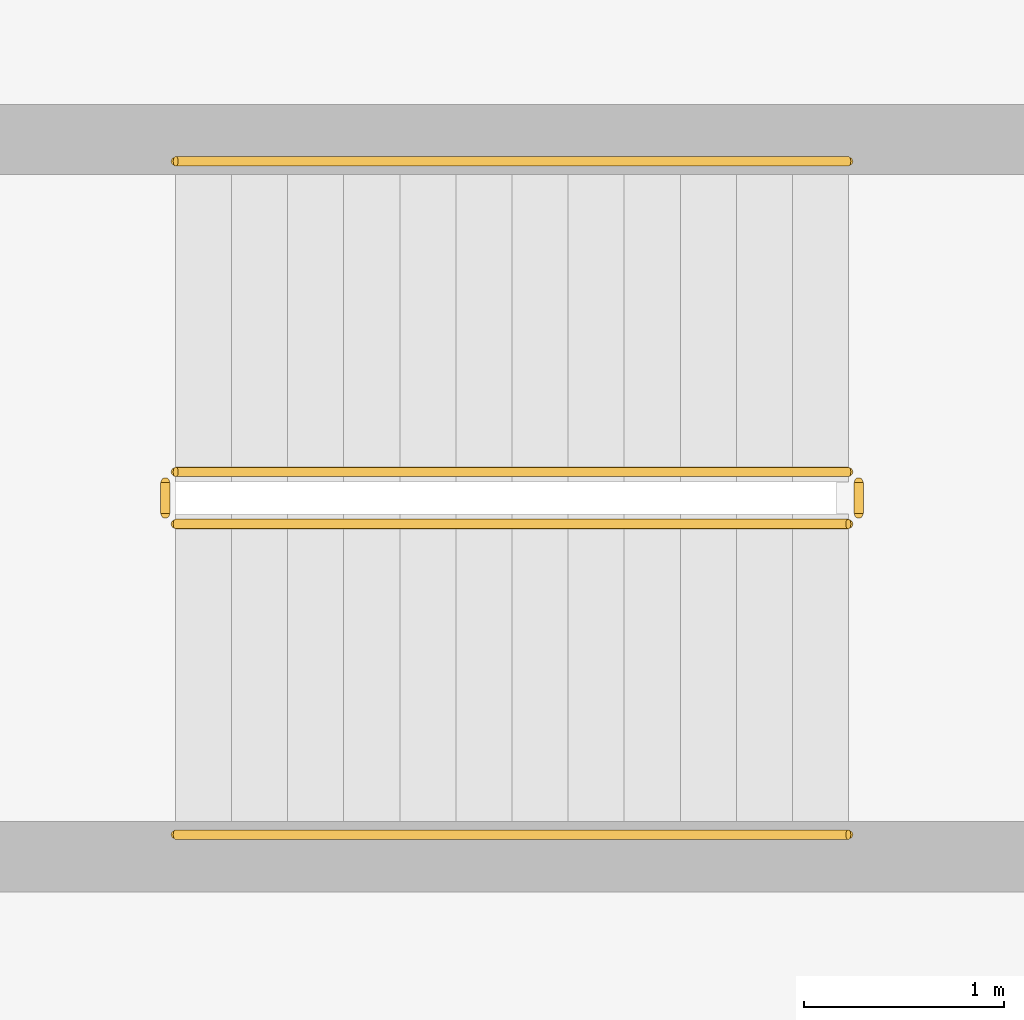
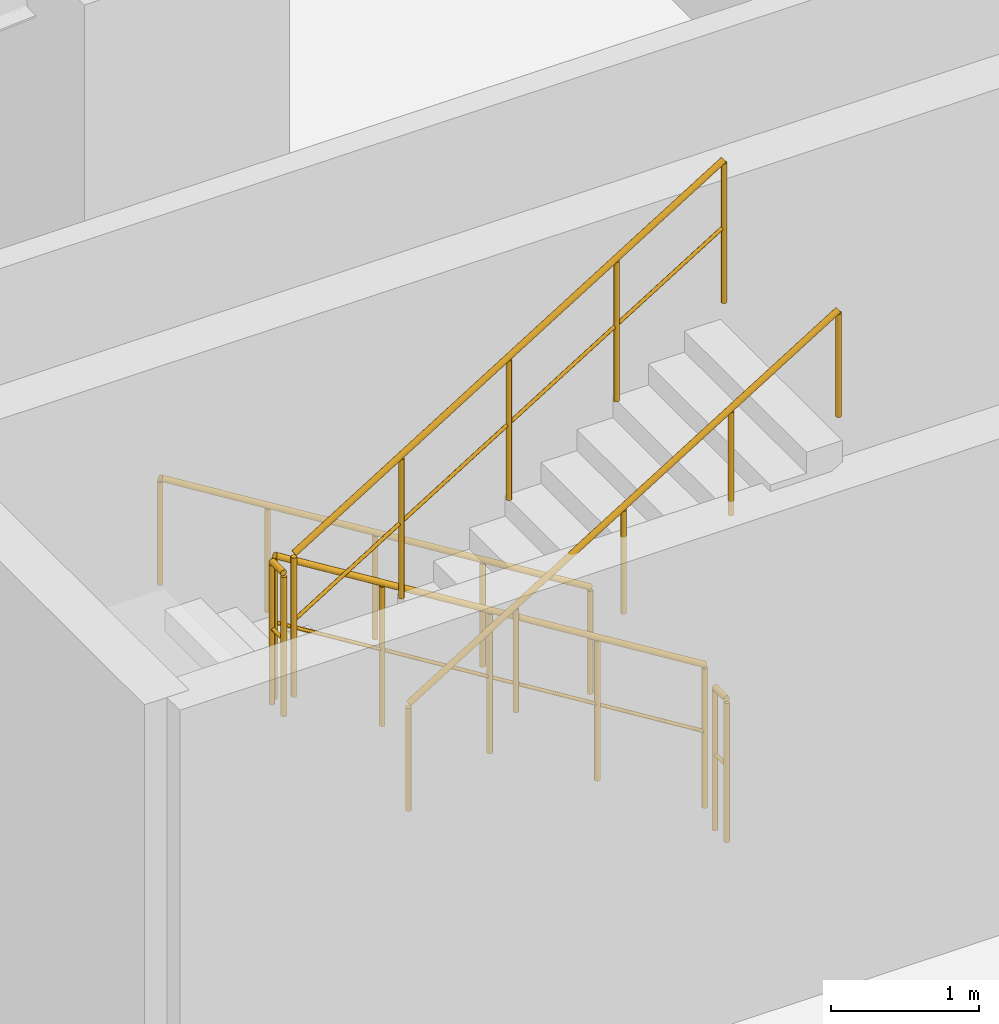
# One storey, part 11 of 14: 6 railings.
"""IFC4 building model written with IfcOpenShell, lengths in metres."""

from ifc_helpers import new_model, si_unit, direction, frame, origin, origin_2d, place, context, subcontext, project, spatial, circle, extrude, material, type_object, element, save


model = new_model("IFC4")

# Units and contexts
model_context = context("Model", 3, precision=1e-05, world=origin(), true_north=direction((0.0, 1.0)))
body_context = subcontext(model_context, "Body", "Model", "MODEL_VIEW")
ifc_project = project(units=[si_unit("LENGTHUNIT", "METRE"), si_unit("AREAUNIT", "SQUARE_METRE"), si_unit("VOLUMEUNIT", "CUBIC_METRE"), si_unit("PLANEANGLEUNIT", "RADIAN"), si_unit("MASSUNIT", "GRAM", prefix="KILO")], contexts=[model_context])

# Site, building, storey
site_placement = place(None, origin())
site = spatial("IfcSite", under=ifc_project, at=site_placement, CompositionType="ELEMENT")
building_placement = place(site_placement, origin())
building = spatial("IfcBuilding", under=site, at=building_placement, Name="Sahyath Konkavel Grand Hotel", CompositionType="ELEMENT")
storey_placement = place(building_placement, frame((0.0, 0.0, -4.5)))
storey = spatial("IfcBuildingStorey", under=building, at=storey_placement, Name="B1", CompositionType="ELEMENT", Elevation=-4.5)

# Railings
ifc_material_1 = material(Name="Steel E350", Category="steel")
railing_type_1 = type_object("IfcRailingType", Name="RLG-STAIR-GRD", PredefinedType="GUARDRAIL", material=ifc_material_1)
railing_1_placement = place(storey_placement, frame((-21.2900390625, -12.179931640625, 0.173095703125)))
element("IfcRailing", 1, at=railing_1_placement, inside=storey, type_object=railing_type_1, Name="B1 ST-P3 stair guard 1", PredefinedType="GUARDRAIL", context=body_context, shape_type="SweptSolid", body=[
    extrude(circle(Radius=0.02392578125, at=origin_2d()), frame((-0.001708984375, 0.0, 1.177001953125), z_axis=(-0.850606129759, 0.0, 0.525803396734), x_axis=(0.0, -1.0, 0.0)), (0.0, 0.0, 1.0), 3.946044921875),
    extrude(circle(Radius=0.01416015625, at=origin_2d()), frame((-0.001708984375, 0.0, 0.625), z_axis=(-0.850606129759, 0.0, 0.525803396734), x_axis=(0.0, -1.0, 0.0)), (0.0, 0.0, 1.0), 3.946044921875),
    extrude(circle(Radius=0.02099609375, at=origin_2d()), origin(), (0.0, 0.0, 1.0), 1.15185546875),
    extrude(circle(Radius=0.02099609375, at=origin_2d()), frame((-0.83984375, 0.0, 0.519287109375)), (0.0, 0.0, 1.0), 1.15185546875),
    extrude(circle(Radius=0.02099609375, at=origin_2d()), frame((-1.679931640625, 0.0, 1.03857421875)), (0.0, 0.0, 1.0), 1.15185546875),
    extrude(circle(Radius=0.02099609375, at=origin_2d()), frame((-2.52001953125, 0.0, 1.5576171875)), (0.0, 0.0, 1.0), 1.15185546875),
    extrude(circle(Radius=0.02099609375, at=origin_2d()), frame((-3.35986328125, 0.0, 2.076904296875)), (0.0, 0.0, 1.0), 1.15185546875),
])
railing_2_placement = place(storey_placement, frame((-24.699951171875, -12.22998046875, 2.25)))
element("IfcRailing", 2, at=railing_2_placement, inside=storey, type_object=railing_type_1, Name="B1 ST-P3 stair guard 2", PredefinedType="GUARDRAIL", context=body_context, shape_type="SweptSolid", body=[
    extrude(circle(Radius=0.02392578125, at=origin_2d()), frame((0.0, -0.001953125, 1.17578125), z_axis=(0.0, -1.0, 0.0), x_axis=(1.0, 0.0, 0.0)), (0.0, 0.0, 1.0), 0.156005859375),
    extrude(circle(Radius=0.01416015625, at=origin_2d()), frame((0.0, -0.001953125, 0.6240234375), z_axis=(0.0, -1.0, 0.0), x_axis=(1.0, 0.0, 0.0)), (0.0, 0.0, 1.0), 0.156005859375),
    extrude(circle(Radius=0.02099609375, at=origin_2d()), origin(), (0.0, 0.0, 1.0), 1.15185546875),
    extrude(circle(Radius=0.02099609375, at=origin_2d()), frame((0.0, -0.159912109375, 0.0)), (0.0, 0.0, 1.0), 1.15185546875),
])
railing_3_placement = place(storey_placement, frame((-24.64990234375, -12.43994140625, 2.423095703125)))
element("IfcRailing", 3, at=railing_3_placement, inside=storey, type_object=railing_type_1, Name="B1 ST-P3 stair guard 3", PredefinedType="GUARDRAIL", context=body_context, shape_type="SweptSolid", body=[
    extrude(circle(Radius=0.02392578125, at=origin_2d()), frame((0.001708984375, 0.0, 1.177001953125), z_axis=(0.850606129759, 0.0, 0.525803396734), x_axis=(0.0, 1.0, 0.0)), (0.0, 0.0, 1.0), 3.946044921875),
    extrude(circle(Radius=0.01416015625, at=origin_2d()), frame((0.001708984375, 0.0, 0.625), z_axis=(0.850606129759, 0.0, 0.525803396734), x_axis=(0.0, 1.0, 0.0)), (0.0, 0.0, 1.0), 3.946044921875),
    extrude(circle(Radius=0.02099609375, at=origin_2d()), origin(), (0.0, 0.0, 1.0), 1.15185546875),
    extrude(circle(Radius=0.02099609375, at=origin_2d()), frame((0.83984375, 0.0, 0.519287109375)), (0.0, 0.0, 1.0), 1.15185546875),
    extrude(circle(Radius=0.02099609375, at=origin_2d()), frame((1.679931640625, 0.0, 1.03857421875)), (0.0, 0.0, 1.0), 1.15185546875),
    extrude(circle(Radius=0.02099609375, at=origin_2d()), frame((2.52001953125, 0.0, 1.5576171875)), (0.0, 0.0, 1.0), 1.15185546875),
    extrude(circle(Radius=0.02099609375, at=origin_2d()), frame((3.35986328125, 0.0, 2.076904296875)), (0.0, 0.0, 1.0), 1.15185546875),
])
railing_4_placement = place(storey_placement, frame((-21.239990234375, -12.22998046875, 0.0)))
element("IfcRailing", 4, at=railing_4_placement, inside=storey, type_object=railing_type_1, Name="B1 ST-P3 stair guard 4", PredefinedType="GUARDRAIL", context=body_context, shape_type="SweptSolid", body=[
    extrude(circle(Radius=0.02392578125, at=origin_2d()), frame((0.0, -0.001953125, 1.17578125), z_axis=(0.0, -1.0, 0.0), x_axis=(1.0, 0.0, 0.0)), (0.0, 0.0, 1.0), 0.156005859375),
    extrude(circle(Radius=0.01416015625, at=origin_2d()), frame((0.0, -0.001953125, 0.6240234375), z_axis=(0.0, -1.0, 0.0), x_axis=(1.0, 0.0, 0.0)), (0.0, 0.0, 1.0), 0.156005859375),
    extrude(circle(Radius=0.02099609375, at=origin_2d()), origin(), (0.0, 0.0, 1.0), 1.15185546875),
    extrude(circle(Radius=0.02099609375, at=origin_2d()), frame((0.0, -0.159912109375, 0.0)), (0.0, 0.0, 1.0), 1.15185546875),
])
ifc_material_2 = material(Name="Anodised Bronze Aluminium", Category="aluminium")
railing_type_2 = type_object("IfcRailingType", Name="RLG-STAIR-HND", PredefinedType="HANDRAIL", material=ifc_material_2)
railing_5_placement = place(storey_placement, frame((-21.2900390625, -10.6298828125, 0.173095703125)))
element("IfcRailing", 5, at=railing_5_placement, inside=storey, type_object=railing_type_2, Name="B1 ST-P3 stair handrail 1", PredefinedType="HANDRAIL", context=body_context, shape_type="SweptSolid", body=[
    extrude(circle(Radius=0.02392578125, at=origin_2d()), frame((-0.001708984375, 0.0, 0.876953125), z_axis=(-0.850606129759, 0.0, 0.525803396734), x_axis=(0.0, -1.0, 0.0)), (0.0, 0.0, 1.0), 3.946044921875),
    extrude(circle(Radius=0.02099609375, at=origin_2d()), origin(), (0.0, 0.0, 1.0), 0.851806640625),
    extrude(circle(Radius=0.02099609375, at=origin_2d()), frame((-0.83984375, 0.0, 0.519287109375)), (0.0, 0.0, 1.0), 0.851806640625),
    extrude(circle(Radius=0.02099609375, at=origin_2d()), frame((-1.679931640625, 0.0, 1.03857421875)), (0.0, 0.0, 1.0), 0.851806640625),
    extrude(circle(Radius=0.02099609375, at=origin_2d()), frame((-2.52001953125, 0.0, 1.5576171875)), (0.0, 0.0, 1.0), 0.851806640625),
    extrude(circle(Radius=0.02099609375, at=origin_2d()), frame((-3.35986328125, 0.0, 2.076904296875)), (0.0, 0.0, 1.0), 0.851806640625),
])
railing_6_placement = place(storey_placement, frame((-24.64990234375, -13.989990234375, 2.423095703125)))
element("IfcRailing", 6, at=railing_6_placement, inside=storey, type_object=railing_type_2, Name="B1 ST-P3 stair handrail 2", PredefinedType="HANDRAIL", context=body_context, shape_type="SweptSolid", body=[
    extrude(circle(Radius=0.02392578125, at=origin_2d()), frame((0.001708984375, 0.0, 0.876953125), z_axis=(0.850606129759, 0.0, 0.525803396734), x_axis=(0.0, 1.0, 0.0)), (0.0, 0.0, 1.0), 3.946044921875),
    extrude(circle(Radius=0.02099609375, at=origin_2d()), origin(), (0.0, 0.0, 1.0), 0.851806640625),
    extrude(circle(Radius=0.02099609375, at=origin_2d()), frame((0.83984375, 0.0, 0.519287109375)), (0.0, 0.0, 1.0), 0.851806640625),
    extrude(circle(Radius=0.02099609375, at=origin_2d()), frame((1.679931640625, 0.0, 1.03857421875)), (0.0, 0.0, 1.0), 0.851806640625),
    extrude(circle(Radius=0.02099609375, at=origin_2d()), frame((2.52001953125, 0.0, 1.5576171875)), (0.0, 0.0, 1.0), 0.851806640625),
    extrude(circle(Radius=0.02099609375, at=origin_2d()), frame((3.35986328125, 0.0, 2.076904296875)), (0.0, 0.0, 1.0), 0.851806640625),
])

save(model, "model.ifc")
